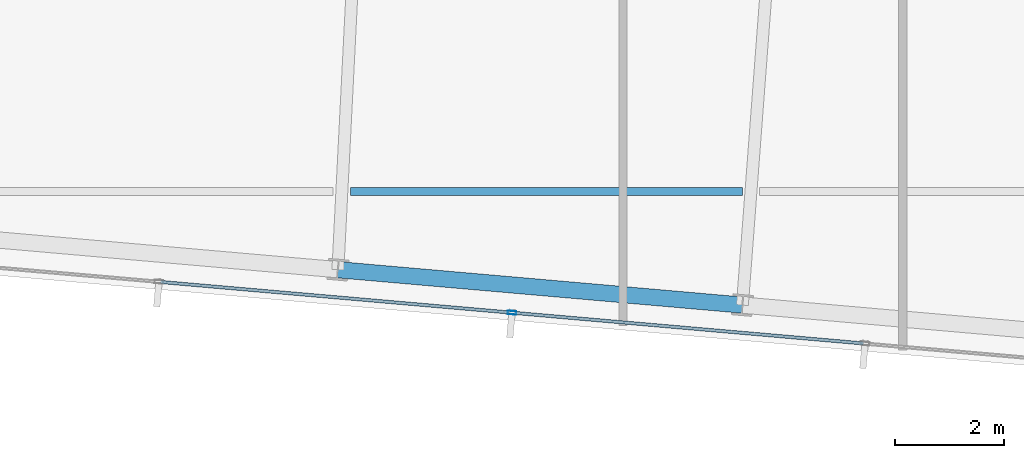
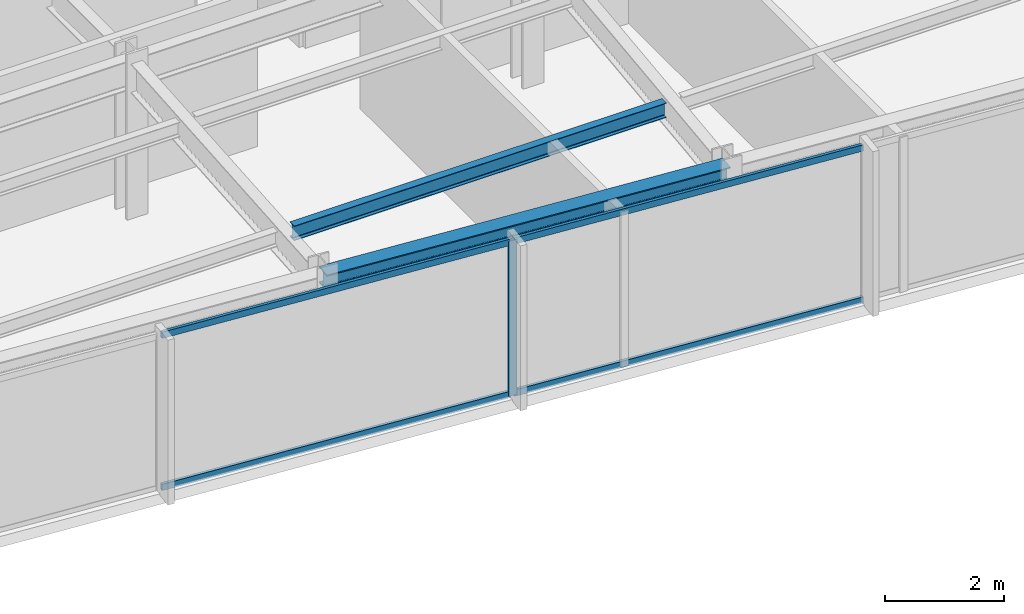
# One storey, part 7 of 32: 5 members, 2 beams, 1 element without a shape of its own.
"""IFC4 building model written with IfcOpenShell, lengths in metres."""

from ifc_helpers import new_model, si_unit, direction, frame, origin, origin_2d, place, context, subcontext, project, spatial, hollow_rectangle, i_section, extrude, material, material_profile, profile_set, type_object, element, aggregate, save


model = new_model("IFC4")

# Units and contexts
model_context = context("Model", 3, precision=1e-05, world=origin(), true_north=direction((0.0, 1.0)))
body_context = subcontext(model_context, "Body", "Model", "MODEL_VIEW")
ifc_project = project(units=[si_unit("LENGTHUNIT", "METRE"), si_unit("AREAUNIT", "SQUARE_METRE"), si_unit("VOLUMEUNIT", "CUBIC_METRE"), si_unit("PLANEANGLEUNIT", "RADIAN"), si_unit("MASSUNIT", "GRAM", prefix="KILO")], contexts=[model_context])

# Site, building, storey
site_placement = place(None, origin())
site = spatial("IfcSite", under=ifc_project, at=site_placement, CompositionType="ELEMENT")
building_placement = place(site_placement, origin())
building = spatial("IfcBuilding", under=site, at=building_placement, Name="Yelkora Congress Tower", CompositionType="ELEMENT")
storey_placement = place(building_placement, frame((0.0, 0.0, 262.5)))
storey = spatial("IfcBuildingStorey", under=building, at=storey_placement, Name="L73", CompositionType="ELEMENT", Elevation=262.5)

# Beams
ifc_material_1 = material(Name="Steel S355J2", Category="steel")
ifc_material_profile_1 = material_profile(ifc_material_1, i_section(OverallWidth=0.14990234375, OverallDepth=0.300048828125, WebThickness=0.007080078125, FlangeThickness=0.0107421875, FilletRadius=0.014892578125, at=origin_2d()), Name="IPE 300")
ifc_profile_set_1 = profile_set([ifc_material_profile_1], Name="Steel S355J2")
beam_type_1 = type_object("IfcBeamType", Name="BM-JOIST-IPE300", PredefinedType="JOIST", material=ifc_profile_set_1)
beam_1_placement = place(storey_placement, frame((30.595703125, 19.58447265625, 3.030029296875), z_axis=(1.0, 0.0, 0.0), x_axis=(0.0, 1.0, 0.0)))
element("IfcBeam", 1, at=beam_1_placement, inside=storey, type_object=beam_type_1, Name="L73 Composite Floor Joist 2", PredefinedType="JOIST", context=body_context, shape_type="SweptSolid", body=[
    extrude(i_section(OverallWidth=0.14990234375, OverallDepth=0.300048828125, WebThickness=0.007080078125, FlangeThickness=0.0107421875, FilletRadius=0.014892578125, at=origin_2d()), origin(), (0.0, 0.0, 1.0), 7.219970703125),
])
ifc_material_profile_2 = material_profile(ifc_material_1, i_section(OverallWidth=0.300048828125, OverallDepth=0.340087890625, WebThickness=0.011962890625, FlangeThickness=0.021484375, FilletRadius=0.027099609375, at=origin_2d()), Name="HEB 340")
ifc_profile_set_2 = profile_set([ifc_material_profile_2], Name="Steel S355J2")
beam_type_2 = type_object("IfcBeamType", Name="BM-SPAN-HEB340", PredefinedType="SPANDREL", material=ifc_profile_set_2)
beam_2_placement = place(storey_placement, frame((30.362548828125, 18.14111328125, 3.010009765625), z_axis=(0.99619601894, -0.087140644067, 0.0), x_axis=(0.087140644067, 0.99619601894, 0.0)))
element("IfcBeam", 2, at=beam_2_placement, inside=storey, type_object=beam_type_2, Name="L73 Perimeter Beam 4", PredefinedType="SPANDREL", context=body_context, shape_type="SweptSolid", body=[
    extrude(i_section(OverallWidth=0.300048828125, OverallDepth=0.340087890625, WebThickness=0.011962890625, FlangeThickness=0.021484375, FilletRadius=0.027099609375, at=origin_2d()), origin(), (0.0, 0.0, 1.0), 7.4833984375),
])

# Curtain wall, members
ifc_material_2 = material(Name="Anodised aluminium and insulated glass", Category="aluminium")
curtain_wall_type = type_object("IfcCurtainWallType", Name="CW-SYS-B5", PredefinedType="NOTDEFINED", material=ifc_material_2)
curtain_wall_placement = place(storey_placement, origin())
curtain_wall = element("IfcCurtainWall", 3, at=curtain_wall_placement, inside=storey, type_object=curtain_wall_type, Name="L73 Unitised Curtain Wall 20", PredefinedType="NOTDEFINED")
ifc_material_3 = material(Name="Anodised aluminium 6063-T6", Category="aluminium")
ifc_material_profile_3 = material_profile(ifc_material_3, hollow_rectangle(XDim=0.06494140625, YDim=0.159912109375, WallThickness=0.00390625, at=origin_2d()), Name="ALU 65x160x4")
ifc_profile_set_3 = profile_set([ifc_material_profile_3], Name="Anodised aluminium 6063-T6")
member_type_1 = type_object("IfcMemberType", Name="MEM-ML-B5", PredefinedType="MULLION", material=ifc_profile_set_3)
member_1_placement = place(storey_placement, frame((33.571533203125, 17.348388671875, 0.0), z_axis=(0.0, 0.0, 1.0), x_axis=(-0.087156829793, -0.996194602987, 0.0)))
member_1 = element("IfcMember", 4, at=member_1_placement, type_object=member_type_1, Name="CW-B5 mullion 4", PredefinedType="MULLION", context=body_context, shape_type="SweptSolid", body=[
    extrude(hollow_rectangle(XDim=0.06494140625, YDim=0.159912109375, WallThickness=0.00390625, at=origin_2d()), origin(), (0.0, 0.0, 1.0), 3.179931640625),
])
ifc_material_profile_4 = material_profile(ifc_material_3, hollow_rectangle(XDim=0.06005859375, YDim=0.1298828125, WallThickness=0.00390625, at=origin_2d()), Name="ALU 60x130x4")
ifc_profile_set_4 = profile_set([ifc_material_profile_4], Name="Anodised aluminium 6063-T6")
member_type_2 = type_object("IfcMemberType", Name="MEM-TR-B5", PredefinedType="USERDEFINED", material=ifc_profile_set_4)
member_2_placement = place(storey_placement, frame((40.045654296875, 16.781982421875, 0.030029296875), z_axis=(-0.996192979814, 0.08717538052, 0.0), x_axis=(-0.08717538052, -0.996192979814, 0.0)))
member_2 = element("IfcMember", 5, at=member_2_placement, type_object=member_type_2, Name="CW-B5 transom 3.1", ObjectType="TRANSOM", PredefinedType="USERDEFINED", context=body_context, shape_type="SweptSolid", body=[
    extrude(hollow_rectangle(XDim=0.06005859375, YDim=0.1298828125, WallThickness=0.00390625, at=origin_2d()), origin(), (0.0, 0.0, 1.0), 6.466552734375),
])
member_3_placement = place(storey_placement, frame((40.045654296875, 16.781982421875, 3.14990234375), z_axis=(-0.996192979814, 0.08717538052, 0.0), x_axis=(-0.08717538052, -0.996192979814, 0.0)))
member_3 = element("IfcMember", 6, at=member_3_placement, type_object=member_type_2, Name="CW-B5 transom 3.2", ObjectType="TRANSOM", PredefinedType="USERDEFINED", context=body_context, shape_type="SweptSolid", body=[
    extrude(hollow_rectangle(XDim=0.06005859375, YDim=0.1298828125, WallThickness=0.00390625, at=origin_2d()), origin(), (0.0, 0.0, 1.0), 6.466552734375),
])
member_4_placement = place(storey_placement, frame((33.5390625, 17.351318359375, 0.030029296875), z_axis=(-0.996196257862, 0.087137912649, 0.0), x_axis=(-0.087137912649, -0.996196257862, 0.0)))
member_4 = element("IfcMember", 7, at=member_4_placement, type_object=member_type_2, Name="CW-B5 transom 4.1", ObjectType="TRANSOM", PredefinedType="USERDEFINED", context=body_context, shape_type="SweptSolid", body=[
    extrude(hollow_rectangle(XDim=0.06005859375, YDim=0.1298828125, WallThickness=0.00390625, at=origin_2d()), origin(), (0.0, 0.0, 1.0), 6.466552734375),
])
member_5_placement = place(storey_placement, frame((33.5390625, 17.351318359375, 3.14990234375), z_axis=(-0.996196257862, 0.087137912649, 0.0), x_axis=(-0.087137912649, -0.996196257862, 0.0)))
member_5 = element("IfcMember", 8, at=member_5_placement, type_object=member_type_2, Name="CW-B5 transom 4.2", ObjectType="TRANSOM", PredefinedType="USERDEFINED", context=body_context, shape_type="SweptSolid", body=[
    extrude(hollow_rectangle(XDim=0.06005859375, YDim=0.1298828125, WallThickness=0.00390625, at=origin_2d()), origin(), (0.0, 0.0, 1.0), 6.466552734375),
])
aggregate(curtain_wall, [member_1, member_2, member_3, member_4, member_5])

save(model, "model.ifc")
